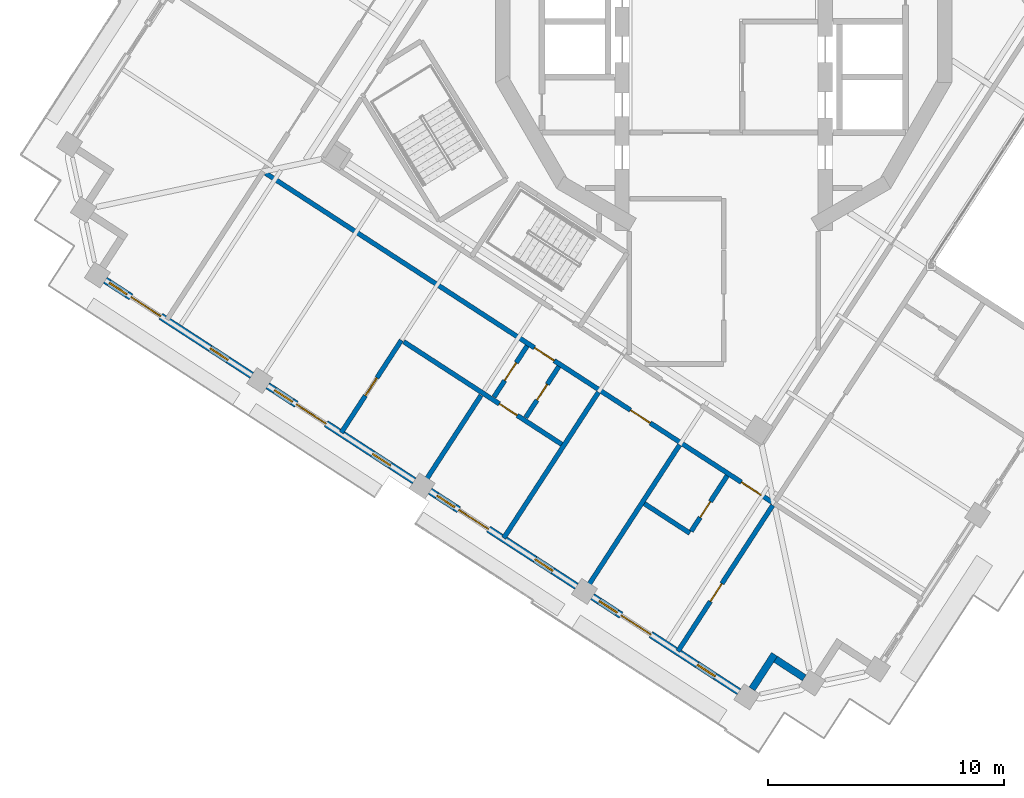
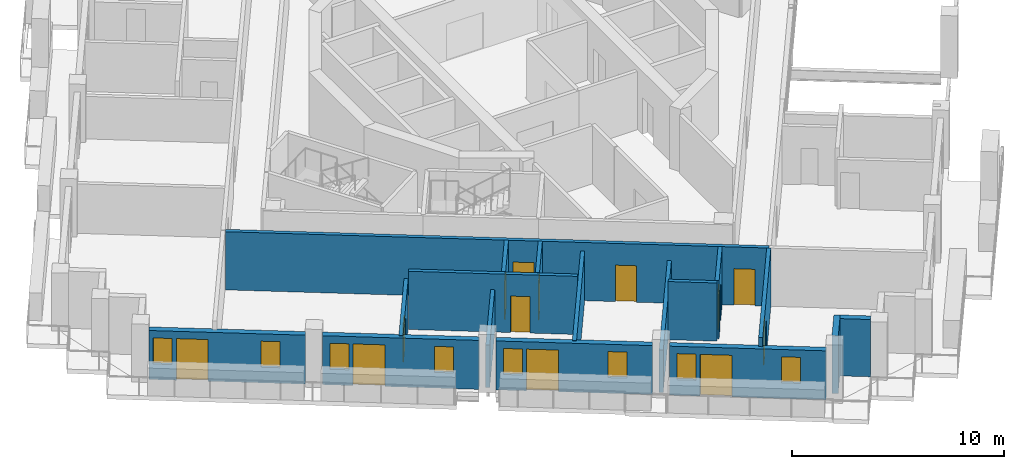
# One storey, part 5 of 17: 17 walls, 13 doors, 8 windows, 21 openings.
"""IFC4 building model written with IfcOpenShell, lengths in metres."""

import ifcopenshell
import ifcopenshell.guid

model = None  # the IFC model being written
_history = None  # IfcOwnerHistory: only IFC2X3 demands one
_inside = {}  # id of a spatial element -> (the spatial element, [elements in it])
_under = {}  # id of a project, library or spatial element -> (it, [spatial elements below it])
_declared = {}  # id of a project -> (the project, [libraries it declares])
_typed = {}  # id of a type object -> (the type object, [elements of that type])
_made_of = {}  # id of a material, layer set ... -> (it, [elements and type objects made of it])


def new_model(schema):
    """Start an empty IFC model of exactly this schema.

    Asked for "IFC4X3", IfcOpenShell would pick the latest addendum, in which some entities
    have other attributes; the version numbers below select the first issue.
    IFC2X3 requires an IfcOwnerHistory on every rooted entity: one is made here for all.
    """
    global model, _history
    if schema == "IFC4X3":
        model = ifcopenshell.file(schema_version=(4, 3, 0, 0))
    else:
        model = ifcopenshell.file(schema=schema)
    _inside.clear()
    _under.clear()
    _declared.clear()
    _typed.clear()
    _made_of.clear()
    _history = None
    if model.schema == "IFC2X3":
        org = make("IfcOrganization", Name="unknown")
        user = make(
            "IfcPersonAndOrganization",
            ThePerson=make("IfcPerson", FamilyName="unknown"),
            TheOrganization=org,
        )
        app = make(
            "IfcApplication",
            ApplicationDeveloper=org,
            Version="unknown",
            ApplicationFullName="unknown",
            ApplicationIdentifier="unknown",
        )
        _history = make(
            "IfcOwnerHistory",
            OwningUser=user,
            OwningApplication=app,
            ChangeAction="ADDED",
            CreationDate=0,
        )
    return model


def make(cls, **values):
    """One entity of the class cls with the attributes given. An attribute that is None is left unset."""
    return model.create_entity(
        cls, **{name: value for name, value in values.items() if value is not None}
    )


def rooted(cls, **values):
    """An entity with a GlobalId (a new one), such as an element, a storey or a relation."""
    return make(cls, GlobalId=ifcopenshell.guid.new(), OwnerHistory=_history, **values)


def si_unit(unit_type, name, prefix=None):
    """IfcSIUnit, for example si_unit("LENGTHUNIT", "METRE", prefix="MILLI")."""
    return make("IfcSIUnit", UnitType=unit_type, Prefix=prefix, Name=name)


def assignment(units):
    """IfcUnitAssignment: the units of a project."""
    return None if units is None else make("IfcUnitAssignment", Units=units)


def point(xyz):
    """IfcCartesianPoint."""
    return None if xyz is None else make("IfcCartesianPoint", Coordinates=xyz)


def direction(xyz):
    """IfcDirection."""
    return None if xyz is None else make("IfcDirection", DirectionRatios=xyz)


def frame(location, z_axis=None, x_axis=None):
    """IfcAxis2Placement3D, a coordinate frame: its origin and axes. An axis left out is left unset."""
    return make(
        "IfcAxis2Placement3D",
        Location=point(location),
        Axis=direction(z_axis),
        RefDirection=direction(x_axis),
    )


def frame_2d(location, x_axis=None):
    """IfcAxis2Placement2D, a coordinate frame in the plane: its origin and x axis."""
    return make(
        "IfcAxis2Placement2D", Location=point(location), RefDirection=direction(x_axis)
    )


def origin():
    """The frame at (0, 0, 0) with its axes left unset."""
    return frame((0.0, 0.0, 0.0))


def place(relative_to, where):
    """IfcLocalPlacement: puts the frame where relative to a parent placement (None: the world)."""
    return make(
        "IfcLocalPlacement", PlacementRelTo=relative_to, RelativePlacement=where
    )


def context(
    kind, dimensions, precision=None, world=None, true_north=None, identifier=None
):
    """IfcGeometricRepresentationContext, for example the 3D "Model" context."""
    return make(
        "IfcGeometricRepresentationContext",
        ContextIdentifier=identifier,
        ContextType=kind,
        CoordinateSpaceDimension=dimensions,
        Precision=precision,
        WorldCoordinateSystem=world,
        TrueNorth=true_north,
    )


def subcontext(parent, identifier, kind, view, scale=None):
    """IfcGeometricRepresentationSubContext, for example "Body" below "Model"."""
    return make(
        "IfcGeometricRepresentationSubContext",
        ContextIdentifier=identifier,
        ContextType=kind,
        ParentContext=parent,
        TargetScale=scale,
        TargetView=view,
    )


def project(units=None, contexts=None):
    """IfcProject with its units and contexts."""
    return rooted(
        "IfcProject",
        Name="project",
        RepresentationContexts=contexts,
        UnitsInContext=assignment(units),
    )


def spatial(cls, under=None, at=None, **own):
    """A site, building, storey or space (cls), placed at a placement, below another one or the project."""
    s = rooted(cls, ObjectPlacement=at, **own)
    if under is not None:
        _under.setdefault(under.id(), (under, []))[1].append(s)
    return s


def profile(cls, at=None, kind="AREA", **sizes):
    """A parametric profile (cls). Its sizes go by their IFC names, for example OverallWidth=200.0."""
    return make(cls, ProfileType=kind, Position=at, **sizes)


def rectangle(**sizes):
    """IfcRectangleProfileDef."""
    return profile("IfcRectangleProfileDef", **sizes)


def extrude(swept, where, along, depth):
    """IfcExtrudedAreaSolid: the profile swept, set in the frame where, extruded along a direction by depth."""
    return make(
        "IfcExtrudedAreaSolid",
        SweptArea=swept,
        Position=where,
        ExtrudedDirection=direction(along),
        Depth=depth,
    )


def shape(context_of_items, identifier, shape_type, items):
    """IfcShapeRepresentation: the items that make up one representation, for example the "Body"."""
    return make(
        "IfcShapeRepresentation",
        ContextOfItems=context_of_items,
        RepresentationIdentifier=identifier,
        RepresentationType=shape_type,
        Items=items,
    )


def material(Name=None, Category=None):
    """IfcMaterial."""
    return make("IfcMaterial", Name=Name, Category=Category)


def layer(
    of_material, thickness, ventilated=None, Name=None, Category=None, Priority=None
):
    """IfcMaterialLayer: one layer of a wall or slab, of a material (None: an air gap)."""
    return make(
        "IfcMaterialLayer",
        Material=of_material,
        LayerThickness=thickness,
        IsVentilated=ventilated,
        Name=Name,
        Category=Category,
        Priority=Priority,
    )


def layer_set(layers, Name=None):
    """IfcMaterialLayerSet."""
    return make("IfcMaterialLayerSet", MaterialLayers=layers, LayerSetName=Name)


def made_of(thing, what):
    """Note that an element or type object is made of a material, layer set ...; save() writes the relation."""
    if what is not None:
        _made_of.setdefault(what.id(), (what, []))[1].append(thing)
    return thing


def type_object(cls, material=None, **own):
    """A type object (cls), such as IfcWallType, which elements share."""
    return made_of(rooted(cls, **own), material)


def element(
    cls,
    number,
    at=None,
    inside=None,
    cuts=None,
    type_object=None,
    material=None,
    context=None,
    identifier="Body",
    shape_type=None,
    held_by="IfcProductDefinitionShape",
    body=None,
    shapes=None,
    **own,
):
    """One element of the class cls, such as IfcWall. Its Tag is "e" and its number.

    at: its placement. inside: the storey or other place that contains it. cuts: it is an
    opening in that element (IfcRelVoidsElement). A single representation is given by context,
    identifier, shape_type and body (its items); several are given by shapes. held_by: the class
    of the entity that holds the representations. save() writes the other relations.
    """
    e = rooted(cls, Tag="e%d" % number, ObjectPlacement=at, **own)
    if body is not None:
        shapes = [shape(context, identifier, shape_type, body)]
    if shapes is not None:
        e.Representation = make(held_by, Representations=shapes)
    if inside is not None:
        _inside.setdefault(inside.id(), (inside, []))[1].append(e)
    if cuts is not None:
        rooted(
            "IfcRelVoidsElement", RelatingBuildingElement=cuts, RelatedOpeningElement=e
        )
    if type_object is not None:
        _typed.setdefault(type_object.id(), (type_object, []))[1].append(e)
    return made_of(e, material)


def fill(opening, filler):
    """IfcRelFillsElement: the door or window that sits in an opening."""
    return rooted(
        "IfcRelFillsElement",
        RelatingOpeningElement=opening,
        RelatedBuildingElement=filler,
    )


def aggregate(whole, parts):
    """IfcRelAggregates: a whole, such as a stair, and the parts it consists of."""
    return rooted("IfcRelAggregates", RelatingObject=whole, RelatedObjects=parts)


def save(model, path):
    """Write the relations noted so far, then the file.

    IfcRelAggregates (storeys below a building ...), IfcRelContainedInSpatialStructure (elements
    in a storey), IfcRelDefinesByType, IfcRelAssociatesMaterial and IfcRelDeclares: one each for
    every whole, place, type object, material and project.
    """
    for whole, parts in _under.values():
        aggregate(whole, parts)
    for where, things in _inside.values():
        rooted(
            "IfcRelContainedInSpatialStructure",
            RelatedElements=things,
            RelatingStructure=where,
        )
    for kind, things in _typed.values():
        rooted("IfcRelDefinesByType", RelatedObjects=things, RelatingType=kind)
    for what, things in _made_of.values():
        rooted("IfcRelAssociatesMaterial", RelatedObjects=things, RelatingMaterial=what)
    for by, libraries in _declared.values():
        rooted("IfcRelDeclares", RelatingContext=by, RelatedDefinitions=libraries)
    model.write(path)


model = new_model("IFC4")

# Units and contexts
model_context = context("Model", 3, precision=1e-05, world=origin(), true_north=direction((0.0, 1.0)))
body_context = subcontext(model_context, "Body", "Model", "MODEL_VIEW")
ifc_project = project(units=[si_unit("LENGTHUNIT", "METRE"), si_unit("AREAUNIT", "SQUARE_METRE"), si_unit("VOLUMEUNIT", "CUBIC_METRE"), si_unit("PLANEANGLEUNIT", "RADIAN"), si_unit("MASSUNIT", "GRAM", prefix="KILO")], contexts=[model_context])

# Site, building, storey
site_placement = place(None, origin())
site = spatial("IfcSite", under=ifc_project, at=site_placement, CompositionType="ELEMENT")
building_placement = place(site_placement, origin())
building = spatial("IfcBuilding", under=site, at=building_placement, Name="Cantera Rosa Tower", CompositionType="ELEMENT")
storey_placement = place(building_placement, frame((0.0, 0.0, 264.89990234375)))
storey = spatial("IfcBuildingStorey", under=building, at=storey_placement, Name="L59", CompositionType="ELEMENT", Elevation=264.89990234375)

# Wall, openings, doors
ifc_material_1 = material(Name="Gypsum board partition")
ifc_layer_1 = layer(ifc_material_1, 0.199951171875)
ifc_layer_set_1 = layer_set([ifc_layer_1], Name="CORRIDOR WALL 200 H3350")
wall_type_1 = type_object("IfcWallType", Name="CORRIDOR WALL 200 H3350", PredefinedType="PARTITIONING", material=ifc_layer_set_1)
wall_1_placement = place(storey_placement, frame((-19.4052734375, -6.416259765625, 0.0), z_axis=(0.0, 0.0, 1.0), x_axis=(0.83867117695, -0.544638097229, 0.0)))
wall_1 = element("IfcWall", 1, at=wall_1_placement, inside=storey, type_object=wall_type_1, Name="CORRIDOR WALL L59-002", PredefinedType="PARTITIONING", context=body_context, shape_type="SweptSolid", body=[
    extrude(rectangle(XDim=25.679931640625, YDim=0.199951171875, at=frame_2d((12.83984375, 0.0))), origin(), (0.0, 0.0, 1.0), 3.35009765625),
])
opening_1_placement = place(wall_1_placement, frame((13.580078125, 0.0, 0.0)))
opening_1 = element("IfcOpeningElement", 2, at=opening_1_placement, cuts=wall_1, Name="Opening L59-036", PredefinedType="OPENING", context=body_context, shape_type="SweptSolid", body=[
    extrude(rectangle(XDim=1.0, YDim=2.10009765625, at=frame_2d((0.5, 1.050048828125))), frame((0.0, 0.10986328125, 0.0), z_axis=(0.0, -1.0, 0.0), x_axis=(1.0, 0.0, 0.0)), (0.0, 0.0, 1.0), 0.219970703125),
])
opening_2_placement = place(wall_1_placement, frame((18.429931640625, 0.0, 0.0)))
opening_2 = element("IfcOpeningElement", 3, at=opening_2_placement, cuts=wall_1, Name="Opening L59-041", PredefinedType="OPENING", context=body_context, shape_type="SweptSolid", body=[
    extrude(rectangle(XDim=1.0, YDim=2.10009765625, at=frame_2d((0.5, 1.050048828125))), frame((0.0, 0.10986328125, 0.0), z_axis=(0.0, -1.0, 0.0), x_axis=(1.0, 0.0, 0.0)), (0.0, 0.0, 1.0), 0.219970703125),
])
opening_3_placement = place(wall_1_placement, frame((24.030029296875, 0.0, 0.0)))
opening_3 = element("IfcOpeningElement", 4, at=opening_3_placement, cuts=wall_1, Name="Opening L59-042", PredefinedType="OPENING", context=body_context, shape_type="SweptSolid", body=[
    extrude(rectangle(XDim=1.0, YDim=2.10009765625, at=frame_2d((0.5, 1.050048828125))), frame((0.0, 0.10986328125, 0.0), z_axis=(0.0, -1.0, 0.0), x_axis=(1.0, 0.0, 0.0)), (0.0, 0.0, 1.0), 0.219970703125),
])
ifc_material_2 = material(Name="Timber door leaf", Category="wood")
door_type_1 = type_object("IfcDoorType", Name="ENTRANCE DOOR 1000x2100", OperationType="NOTDEFINED", PredefinedType="DOOR", material=ifc_material_2)
door_1_placement = place(opening_1_placement, origin())
door_1 = element("IfcDoor", 5, at=door_1_placement, inside=storey, type_object=door_type_1, Name="DOOR L59-036", OperationType="NOTDEFINED", OverallHeight=2.10009765625, OverallWidth=1.0, PredefinedType="DOOR", context=body_context, shape_type="SweptSolid", body=[
    extrude(rectangle(XDim=1.0, YDim=2.10009765625, at=frame_2d((0.5, 1.050048828125))), frame((0.0, 0.02490234375, 0.0), z_axis=(0.0, -1.0, 0.0), x_axis=(1.0, 0.0, 0.0)), (0.0, 0.0, 1.0), 0.050048828125),
])
fill(opening_1, door_1)
door_2_placement = place(opening_3_placement, origin())
door_2 = element("IfcDoor", 6, at=door_2_placement, inside=storey, type_object=door_type_1, Name="DOOR L59-042", OperationType="NOTDEFINED", OverallHeight=2.10009765625, OverallWidth=1.0, PredefinedType="DOOR", context=body_context, shape_type="SweptSolid", body=[
    extrude(rectangle(XDim=1.0, YDim=2.10009765625, at=frame_2d((0.5, 1.050048828125))), frame((0.0, 0.02490234375, 0.0), z_axis=(0.0, -1.0, 0.0), x_axis=(1.0, 0.0, 0.0)), (0.0, 0.0, 1.0), 0.050048828125),
])
fill(opening_3, door_2)
ifc_material_3 = material(Name="Timber door leaf", Category="wood")
door_type_2 = type_object("IfcDoorType", Name="ROOM DOOR 1000x2100", OperationType="NOTDEFINED", PredefinedType="DOOR", material=ifc_material_3)
door_3_placement = place(opening_2_placement, origin())
door_3 = element("IfcDoor", 7, at=door_3_placement, inside=storey, type_object=door_type_2, Name="DOOR L59-041", OperationType="NOTDEFINED", OverallHeight=2.10009765625, OverallWidth=1.0, PredefinedType="DOOR", context=body_context, shape_type="SweptSolid", body=[
    extrude(rectangle(XDim=1.0, YDim=2.10009765625, at=frame_2d((0.5, 1.050048828125))), frame((0.0, 0.02490234375, 0.0), z_axis=(0.0, -1.0, 0.0), x_axis=(1.0, 0.0, 0.0)), (0.0, 0.0, 1.0), 0.050048828125),
])
fill(opening_2, door_3)

# Walls
ifc_material_4 = material(Name="Hollow clay masonry with cantera stone cladding", Category="masonry")
ifc_layer_2 = layer(ifc_material_4, 0.300048828125)
ifc_layer_set_2 = layer_set([ifc_layer_2], Name="EW-LOGGIA 300")
wall_type_2 = type_object("IfcWallType", Name="EW-LOGGIA 300", PredefinedType="SOLIDWALL", material=ifc_layer_set_2)
wall_2_placement = place(storey_placement, frame((1.2001953125, -28.263427734375, 0.0), z_axis=(0.0, 0.0, 1.0), x_axis=(0.54461563776, 0.838685761837, 0.0)))
element("IfcWall", 8, at=wall_2_placement, inside=storey, type_object=wall_type_2, Name="EN-L59-W18a", PredefinedType="SOLIDWALL", context=body_context, shape_type="SweptSolid", body=[
    extrude(rectangle(XDim=1.75, YDim=0.300048828125, at=frame_2d((0.875, 0.0))), origin(), (0.0, 0.0, 1.0), 3.300048828125),
])
wall_3_placement = place(storey_placement, frame((2.197509765625, -27.003173828125, 0.0), z_axis=(0.0, 0.0, 1.0), x_axis=(0.838647435384, -0.54467465438, 0.0)))
element("IfcWall", 9, at=wall_3_placement, inside=storey, type_object=wall_type_2, Name="EN-L59-W18b", PredefinedType="SOLIDWALL", context=body_context, shape_type="SweptSolid", body=[
    extrude(rectangle(XDim=1.449951171875, YDim=0.300048828125, at=frame_2d((0.72509765625, 0.0))), origin(), (0.0, 0.0, 1.0), 3.300048828125),
])

# Wall, openings, windows, door
ifc_material_5 = material(Name="Hollow clay masonry with cantera stone cladding", Category="masonry")
ifc_layer_3 = layer(ifc_material_5, 0.300048828125)
ifc_layer_set_3 = layer_set([ifc_layer_3], Name="EW-LOGGIA 300 H2820")
wall_type_3 = type_object("IfcWallType", Name="EW-LOGGIA 300 H2820", PredefinedType="SOLIDWALL", material=ifc_layer_set_3)
wall_4_placement = place(storey_placement, frame((-26.1904296875, -10.95263671875, 0.0), z_axis=(0.0, 0.0, 1.0), x_axis=(0.838669679097, -0.544640403719, 0.0)))
wall_4 = element("IfcWall", 10, at=wall_4_placement, inside=storey, type_object=wall_type_3, Name="EN-L59-W14", PredefinedType="SOLIDWALL", context=body_context, shape_type="SweptSolid", body=[
    extrude(rectangle(XDim=7.39990234375, YDim=0.300048828125, at=frame_2d((3.699951171875, 0.0))), origin(), (0.0, 0.0, 1.0), 2.820068359375),
])
opening_4_placement = place(wall_4_placement, frame((0.199951171875, 0.0, 0.89990234375)))
opening_4 = element("IfcOpeningElement", 11, at=opening_4_placement, cuts=wall_4, Name="Opening L59-W28", PredefinedType="OPENING", context=body_context, shape_type="SweptSolid", body=[
    extrude(rectangle(XDim=0.89990234375, YDim=1.5, at=frame_2d((0.449951171875, 0.75))), frame((0.0, 0.159912109375, 0.0), z_axis=(0.0, -1.0, 0.0), x_axis=(1.0, 0.0, 0.0)), (0.0, 0.0, 1.0), 0.320068359375),
])
opening_5_placement = place(wall_4_placement, frame((1.300048828125, 0.0, 0.0)))
opening_5 = element("IfcOpeningElement", 12, at=opening_5_placement, cuts=wall_4, Name="Opening L59-TD29", PredefinedType="OPENING", context=body_context, shape_type="SweptSolid", body=[
    extrude(rectangle(XDim=1.5, YDim=2.39990234375, at=frame_2d((0.75, 1.199951171875))), frame((0.0, 0.159912109375, 0.0), z_axis=(0.0, -1.0, 0.0), x_axis=(1.0, 0.0, 0.0)), (0.0, 0.0, 1.0), 0.320068359375),
])
opening_6_placement = place(wall_4_placement, frame((5.300048828125, 0.0, 0.89990234375)))
opening_6 = element("IfcOpeningElement", 13, at=opening_6_placement, cuts=wall_4, Name="Opening L59-W30", PredefinedType="OPENING", context=body_context, shape_type="SweptSolid", body=[
    extrude(rectangle(XDim=0.89990234375, YDim=1.5, at=frame_2d((0.449951171875, 0.75))), frame((0.0, 0.159912109375, 0.0), z_axis=(0.0, -1.0, 0.0), x_axis=(1.0, 0.0, 0.0)), (0.0, 0.0, 1.0), 0.320068359375),
])
ifc_material_6 = material(Name="Aluminium frame with clear glass", Category="aluminium")
window_type = type_object("IfcWindowType", Name="Residential window 900x1500", PartitioningType="SINGLE_PANEL", PredefinedType="WINDOW", material=ifc_material_6)
window_1_placement = place(opening_4_placement, origin())
window_1 = element("IfcWindow", 14, at=window_1_placement, inside=storey, type_object=window_type, Name="WINDOW L59-W28", OverallHeight=1.5, OverallWidth=0.89990234375, PartitioningType="SINGLE_PANEL", PredefinedType="WINDOW", context=body_context, shape_type="SweptSolid", body=[
    extrude(rectangle(XDim=0.89990234375, YDim=1.5, at=frame_2d((0.449951171875, 0.75))), frame((0.0, 0.030029296875, 0.0), z_axis=(0.0, -1.0, 0.0), x_axis=(1.0, 0.0, 0.0)), (0.0, 0.0, 1.0), 0.06005859375),
])
fill(opening_4, window_1)
window_2_placement = place(opening_6_placement, origin())
window_2 = element("IfcWindow", 15, at=window_2_placement, inside=storey, type_object=window_type, Name="WINDOW L59-W30", OverallHeight=1.5, OverallWidth=0.89990234375, PartitioningType="SINGLE_PANEL", PredefinedType="WINDOW", context=body_context, shape_type="SweptSolid", body=[
    extrude(rectangle(XDim=0.89990234375, YDim=1.5, at=frame_2d((0.449951171875, 0.75))), frame((0.0, 0.030029296875, 0.0), z_axis=(0.0, -1.0, 0.0), x_axis=(1.0, 0.0, 0.0)), (0.0, 0.0, 1.0), 0.06005859375),
])
fill(opening_6, window_2)
ifc_material_7 = material(Name="Aluminium frame with clear glass", Category="aluminium")
door_type_3 = type_object("IfcDoorType", Name="TD-R 1500x2400", OperationType="NOTDEFINED", PredefinedType="DOOR", material=ifc_material_7)
door_4_placement = place(opening_5_placement, origin())
door_4 = element("IfcDoor", 16, at=door_4_placement, inside=storey, type_object=door_type_3, Name="LOGGIA DOOR L59-TD29", OperationType="SLIDING_TO_LEFT", OverallHeight=2.39990234375, OverallWidth=1.5, PredefinedType="DOOR", context=body_context, shape_type="SweptSolid", body=[
    extrude(rectangle(XDim=1.5, YDim=2.39990234375, at=frame_2d((0.75, 1.199951171875))), frame((0.0, 0.02490234375, 0.0), z_axis=(0.0, -1.0, 0.0), x_axis=(1.0, 0.0, 0.0)), (0.0, 0.0, 1.0), 0.050048828125),
])
fill(opening_5, door_4)

wall_5_placement = place(storey_placement, frame((-19.3134765625, -15.418701171875, 0.0), z_axis=(0.0, 0.0, 1.0), x_axis=(0.838679465365, -0.544625333946, 0.0)))
wall_5 = element("IfcWall", 17, at=wall_5_placement, inside=storey, type_object=wall_type_3, Name="EN-L59-W15", PredefinedType="SOLIDWALL", context=body_context, shape_type="SweptSolid", body=[
    extrude(rectangle(XDim=7.400146484375, YDim=0.300048828125, at=frame_2d((3.7001953125, 0.0))), origin(), (0.0, 0.0, 1.0), 2.820068359375),
])
opening_7_placement = place(wall_5_placement, frame((0.35009765625, 0.0, 0.89990234375)))
opening_7 = element("IfcOpeningElement", 18, at=opening_7_placement, cuts=wall_5, Name="Opening L59-W31", PredefinedType="OPENING", context=body_context, shape_type="SweptSolid", body=[
    extrude(rectangle(XDim=0.89990234375, YDim=1.5, at=frame_2d((0.449951171875, 0.75))), frame((0.0, 0.159912109375, 0.0), z_axis=(0.0, -1.0, 0.0), x_axis=(1.0, 0.0, 0.0)), (0.0, 0.0, 1.0), 0.320068359375),
])
opening_8_placement = place(wall_5_placement, frame((1.449951171875, 0.0, 0.0)))
opening_8 = element("IfcOpeningElement", 19, at=opening_8_placement, cuts=wall_5, Name="Opening L59-TD32", PredefinedType="OPENING", context=body_context, shape_type="SweptSolid", body=[
    extrude(rectangle(XDim=1.5, YDim=2.39990234375, at=frame_2d((0.75, 1.199951171875))), frame((0.0, 0.159912109375, 0.0), z_axis=(0.0, -1.0, 0.0), x_axis=(1.0, 0.0, 0.0)), (0.0, 0.0, 1.0), 0.320068359375),
])
opening_9_placement = place(wall_5_placement, frame((5.300048828125, 0.0, 0.89990234375)))
opening_9 = element("IfcOpeningElement", 20, at=opening_9_placement, cuts=wall_5, Name="Opening L59-W33", PredefinedType="OPENING", context=body_context, shape_type="SweptSolid", body=[
    extrude(rectangle(XDim=0.89990234375, YDim=1.5, at=frame_2d((0.449951171875, 0.75))), frame((0.0, 0.159912109375, 0.0), z_axis=(0.0, -1.0, 0.0), x_axis=(1.0, 0.0, 0.0)), (0.0, 0.0, 1.0), 0.320068359375),
])
window_3_placement = place(opening_7_placement, origin())
window_3 = element("IfcWindow", 21, at=window_3_placement, inside=storey, type_object=window_type, Name="WINDOW L59-W31", OverallHeight=1.5, OverallWidth=0.89990234375, PartitioningType="SINGLE_PANEL", PredefinedType="WINDOW", context=body_context, shape_type="SweptSolid", body=[
    extrude(rectangle(XDim=0.89990234375, YDim=1.5, at=frame_2d((0.449951171875, 0.75))), frame((0.0, 0.030029296875, 0.0), z_axis=(0.0, -1.0, 0.0), x_axis=(1.0, 0.0, 0.0)), (0.0, 0.0, 1.0), 0.06005859375),
])
fill(opening_7, window_3)
window_4_placement = place(opening_9_placement, origin())
window_4 = element("IfcWindow", 22, at=window_4_placement, inside=storey, type_object=window_type, Name="WINDOW L59-W33", OverallHeight=1.5, OverallWidth=0.89990234375, PartitioningType="SINGLE_PANEL", PredefinedType="WINDOW", context=body_context, shape_type="SweptSolid", body=[
    extrude(rectangle(XDim=0.89990234375, YDim=1.5, at=frame_2d((0.449951171875, 0.75))), frame((0.0, 0.030029296875, 0.0), z_axis=(0.0, -1.0, 0.0), x_axis=(1.0, 0.0, 0.0)), (0.0, 0.0, 1.0), 0.06005859375),
])
fill(opening_9, window_4)
door_5_placement = place(opening_8_placement, origin())
door_5 = element("IfcDoor", 23, at=door_5_placement, inside=storey, type_object=door_type_3, Name="LOGGIA DOOR L59-TD32", OperationType="SLIDING_TO_LEFT", OverallHeight=2.39990234375, OverallWidth=1.5, PredefinedType="DOOR", context=body_context, shape_type="SweptSolid", body=[
    extrude(rectangle(XDim=1.5, YDim=2.39990234375, at=frame_2d((0.75, 1.199951171875))), frame((0.0, 0.02490234375, 0.0), z_axis=(0.0, -1.0, 0.0), x_axis=(1.0, 0.0, 0.0)), (0.0, 0.0, 1.0), 0.050048828125),
])
fill(opening_8, door_5)

wall_6_placement = place(storey_placement, frame((-12.436279296875, -19.884765625, 0.0), z_axis=(0.0, 0.0, 1.0), x_axis=(0.838669679097, -0.544640403719, 0.0)))
wall_6 = element("IfcWall", 24, at=wall_6_placement, inside=storey, type_object=wall_type_3, Name="EN-L59-W16", PredefinedType="SOLIDWALL", context=body_context, shape_type="SweptSolid", body=[
    extrude(rectangle(XDim=7.39990234375, YDim=0.300048828125, at=frame_2d((3.699951171875, 0.0))), origin(), (0.0, 0.0, 1.0), 2.820068359375),
])
opening_10_placement = place(wall_6_placement, frame((0.35009765625, 0.0, 0.89990234375)))
opening_10 = element("IfcOpeningElement", 25, at=opening_10_placement, cuts=wall_6, Name="Opening L59-W34", PredefinedType="OPENING", context=body_context, shape_type="SweptSolid", body=[
    extrude(rectangle(XDim=0.89990234375, YDim=1.5, at=frame_2d((0.449951171875, 0.75))), frame((0.0, 0.159912109375, 0.0), z_axis=(0.0, -1.0, 0.0), x_axis=(1.0, 0.0, 0.0)), (0.0, 0.0, 1.0), 0.320068359375),
])
opening_11_placement = place(wall_6_placement, frame((1.449951171875, 0.0, 0.0)))
opening_11 = element("IfcOpeningElement", 26, at=opening_11_placement, cuts=wall_6, Name="Opening L59-TD35", PredefinedType="OPENING", context=body_context, shape_type="SweptSolid", body=[
    extrude(rectangle(XDim=1.5, YDim=2.39990234375, at=frame_2d((0.75, 1.199951171875))), frame((0.0, 0.159912109375, 0.0), z_axis=(0.0, -1.0, 0.0), x_axis=(1.0, 0.0, 0.0)), (0.0, 0.0, 1.0), 0.320068359375),
])
opening_12_placement = place(wall_6_placement, frame((5.300048828125, 0.0, 0.89990234375)))
opening_12 = element("IfcOpeningElement", 27, at=opening_12_placement, cuts=wall_6, Name="Opening L59-W36", PredefinedType="OPENING", context=body_context, shape_type="SweptSolid", body=[
    extrude(rectangle(XDim=0.89990234375, YDim=1.5, at=frame_2d((0.449951171875, 0.75))), frame((0.0, 0.159912109375, 0.0), z_axis=(0.0, -1.0, 0.0), x_axis=(1.0, 0.0, 0.0)), (0.0, 0.0, 1.0), 0.320068359375),
])
window_5_placement = place(opening_10_placement, origin())
window_5 = element("IfcWindow", 28, at=window_5_placement, inside=storey, type_object=window_type, Name="WINDOW L59-W34", OverallHeight=1.5, OverallWidth=0.89990234375, PartitioningType="SINGLE_PANEL", PredefinedType="WINDOW", context=body_context, shape_type="SweptSolid", body=[
    extrude(rectangle(XDim=0.89990234375, YDim=1.5, at=frame_2d((0.449951171875, 0.75))), frame((0.0, 0.030029296875, 0.0), z_axis=(0.0, -1.0, 0.0), x_axis=(1.0, 0.0, 0.0)), (0.0, 0.0, 1.0), 0.06005859375),
])
fill(opening_10, window_5)
window_6_placement = place(opening_12_placement, origin())
window_6 = element("IfcWindow", 29, at=window_6_placement, inside=storey, type_object=window_type, Name="WINDOW L59-W36", OverallHeight=1.5, OverallWidth=0.89990234375, PartitioningType="SINGLE_PANEL", PredefinedType="WINDOW", context=body_context, shape_type="SweptSolid", body=[
    extrude(rectangle(XDim=0.89990234375, YDim=1.5, at=frame_2d((0.449951171875, 0.75))), frame((0.0, 0.030029296875, 0.0), z_axis=(0.0, -1.0, 0.0), x_axis=(1.0, 0.0, 0.0)), (0.0, 0.0, 1.0), 0.06005859375),
])
fill(opening_12, window_6)
door_6_placement = place(opening_11_placement, origin())
door_6 = element("IfcDoor", 30, at=door_6_placement, inside=storey, type_object=door_type_3, Name="LOGGIA DOOR L59-TD35", OperationType="SLIDING_TO_LEFT", OverallHeight=2.39990234375, OverallWidth=1.5, PredefinedType="DOOR", context=body_context, shape_type="SweptSolid", body=[
    extrude(rectangle(XDim=1.5, YDim=2.39990234375, at=frame_2d((0.75, 1.199951171875))), frame((0.0, 0.02490234375, 0.0), z_axis=(0.0, -1.0, 0.0), x_axis=(1.0, 0.0, 0.0)), (0.0, 0.0, 1.0), 0.050048828125),
])
fill(opening_11, door_6)

wall_7_placement = place(storey_placement, frame((-5.559326171875, -24.350830078125, 0.0), z_axis=(0.0, 0.0, 1.0), x_axis=(0.838679465365, -0.544625333946, 0.0)))
wall_7 = element("IfcWall", 31, at=wall_7_placement, inside=storey, type_object=wall_type_3, Name="EN-L59-W17", PredefinedType="SOLIDWALL", context=body_context, shape_type="SweptSolid", body=[
    extrude(rectangle(XDim=7.400146484375, YDim=0.300048828125, at=frame_2d((3.7001953125, 0.0))), origin(), (0.0, 0.0, 1.0), 2.820068359375),
])
opening_13_placement = place(wall_7_placement, frame((0.35009765625, 0.0, 0.89990234375)))
opening_13 = element("IfcOpeningElement", 32, at=opening_13_placement, cuts=wall_7, Name="Opening L59-W37", PredefinedType="OPENING", context=body_context, shape_type="SweptSolid", body=[
    extrude(rectangle(XDim=0.89990234375, YDim=1.5, at=frame_2d((0.449951171875, 0.75))), frame((0.0, 0.159912109375, 0.0), z_axis=(0.0, -1.0, 0.0), x_axis=(1.0, 0.0, 0.0)), (0.0, 0.0, 1.0), 0.320068359375),
])
opening_14_placement = place(wall_7_placement, frame((1.449951171875, 0.0, 0.0)))
opening_14 = element("IfcOpeningElement", 33, at=opening_14_placement, cuts=wall_7, Name="Opening L59-TD38", PredefinedType="OPENING", context=body_context, shape_type="SweptSolid", body=[
    extrude(rectangle(XDim=1.5, YDim=2.39990234375, at=frame_2d((0.75, 1.199951171875))), frame((0.0, 0.159912109375, 0.0), z_axis=(0.0, -1.0, 0.0), x_axis=(1.0, 0.0, 0.0)), (0.0, 0.0, 1.0), 0.320068359375),
])
opening_15_placement = place(wall_7_placement, frame((5.300048828125, 0.0, 0.89990234375)))
opening_15 = element("IfcOpeningElement", 34, at=opening_15_placement, cuts=wall_7, Name="Opening L59-W39", PredefinedType="OPENING", context=body_context, shape_type="SweptSolid", body=[
    extrude(rectangle(XDim=0.89990234375, YDim=1.5, at=frame_2d((0.449951171875, 0.75))), frame((0.0, 0.159912109375, 0.0), z_axis=(0.0, -1.0, 0.0), x_axis=(1.0, 0.0, 0.0)), (0.0, 0.0, 1.0), 0.320068359375),
])
window_7_placement = place(opening_13_placement, origin())
window_7 = element("IfcWindow", 35, at=window_7_placement, inside=storey, type_object=window_type, Name="WINDOW L59-W37", OverallHeight=1.5, OverallWidth=0.89990234375, PartitioningType="SINGLE_PANEL", PredefinedType="WINDOW", context=body_context, shape_type="SweptSolid", body=[
    extrude(rectangle(XDim=0.89990234375, YDim=1.5, at=frame_2d((0.449951171875, 0.75))), frame((0.0, 0.030029296875, 0.0), z_axis=(0.0, -1.0, 0.0), x_axis=(1.0, 0.0, 0.0)), (0.0, 0.0, 1.0), 0.06005859375),
])
fill(opening_13, window_7)
window_8_placement = place(opening_15_placement, origin())
window_8 = element("IfcWindow", 36, at=window_8_placement, inside=storey, type_object=window_type, Name="WINDOW L59-W39", OverallHeight=1.5, OverallWidth=0.89990234375, PartitioningType="SINGLE_PANEL", PredefinedType="WINDOW", context=body_context, shape_type="SweptSolid", body=[
    extrude(rectangle(XDim=0.89990234375, YDim=1.5, at=frame_2d((0.449951171875, 0.75))), frame((0.0, 0.030029296875, 0.0), z_axis=(0.0, -1.0, 0.0), x_axis=(1.0, 0.0, 0.0)), (0.0, 0.0, 1.0), 0.06005859375),
])
fill(opening_15, window_8)
door_7_placement = place(opening_14_placement, origin())
door_7 = element("IfcDoor", 37, at=door_7_placement, inside=storey, type_object=door_type_3, Name="LOGGIA DOOR L59-TD38", OperationType="SLIDING_TO_LEFT", OverallHeight=2.39990234375, OverallWidth=1.5, PredefinedType="DOOR", context=body_context, shape_type="SweptSolid", body=[
    extrude(rectangle(XDim=1.5, YDim=2.39990234375, at=frame_2d((0.75, 1.199951171875))), frame((0.0, 0.02490234375, 0.0), z_axis=(0.0, -1.0, 0.0), x_axis=(1.0, 0.0, 0.0)), (0.0, 0.0, 1.0), 0.050048828125),
])
fill(opening_14, door_7)

# Wall
ifc_material_8 = material(Name="Gypsum board partition")
ifc_layer_4 = layer(ifc_material_8, 0.199951171875)
ifc_layer_set_4 = layer_set([ifc_layer_4], Name="PARTITION 200 H2450")
wall_type_4 = type_object("IfcWallType", Name="PARTITION 200 H2450", PredefinedType="PARTITIONING", material=ifc_layer_set_4)
wall_8_placement = place(storey_placement, frame((-12.75537109375, -19.6416015625, 0.0), z_axis=(0.0, 0.0, 1.0), x_axis=(0.544629951314, 0.8386764669, 0.0)))
element("IfcWall", 38, at=wall_8_placement, inside=storey, type_object=wall_type_4, Name="PARTITION L59-020", PredefinedType="PARTITIONING", context=body_context, shape_type="SweptSolid", body=[
    extrude(rectangle(XDim=4.550048828125, YDim=0.199951171875, at=frame_2d((2.27490234375, 0.0))), origin(), (0.0, 0.0, 1.0), 2.4501953125),
])

# Wall, opening, door
ifc_material_9 = material(Name="Gypsum board partition")
ifc_layer_5 = layer(ifc_material_9, 0.199951171875)
ifc_layer_set_5 = layer_set([ifc_layer_5], Name="PARTITION 200 H2850")
wall_type_5 = type_object("IfcWallType", Name="PARTITION 200 H2850", PredefinedType="PARTITIONING", material=ifc_layer_set_5)
wall_9_placement = place(storey_placement, frame((-16.194091796875, -17.40869140625, 0.0), z_axis=(0.0, 0.0, 1.0), x_axis=(0.544683283636, 0.838641830895, 0.0)))
wall_9 = element("IfcWall", 39, at=wall_9_placement, inside=storey, type_object=wall_type_5, Name="PARTITION L59-007", PredefinedType="PARTITIONING", context=body_context, shape_type="SweptSolid", body=[
    extrude(rectangle(XDim=4.670166015625, YDim=0.199951171875, at=frame_2d((2.3349609375, 0.0))), origin(), (0.0, 0.0, 1.0), 2.85009765625),
])
opening_16_placement = place(wall_9_placement, frame((1.8701171875, 0.0, 0.0)))
opening_16 = element("IfcOpeningElement", 40, at=opening_16_placement, cuts=wall_9, Name="Opening L59-040", PredefinedType="OPENING", context=body_context, shape_type="SweptSolid", body=[
    extrude(rectangle(XDim=0.89990234375, YDim=2.10009765625, at=frame_2d((0.449951171875, 1.050048828125))), frame((0.0, 0.10986328125, 0.0), z_axis=(0.0, -1.0, 0.0), x_axis=(1.0, 0.0, 0.0)), (0.0, 0.0, 1.0), 0.219970703125),
])
ifc_material_10 = material(Name="Timber door leaf", Category="wood")
door_type_4 = type_object("IfcDoorType", Name="ROOM DOOR 900x2100", OperationType="NOTDEFINED", PredefinedType="DOOR", material=ifc_material_10)
door_8_placement = place(opening_16_placement, origin())
door_8 = element("IfcDoor", 41, at=door_8_placement, inside=storey, type_object=door_type_4, Name="DOOR L59-040", OperationType="NOTDEFINED", OverallHeight=2.10009765625, OverallWidth=0.89990234375, PredefinedType="DOOR", context=body_context, shape_type="SweptSolid", body=[
    extrude(rectangle(XDim=0.89990234375, YDim=2.10009765625, at=frame_2d((0.449951171875, 1.050048828125))), frame((0.0, 0.02490234375, 0.0), z_axis=(0.0, -1.0, 0.0), x_axis=(1.0, 0.0, 0.0)), (0.0, 0.0, 1.0), 0.050048828125),
])
fill(opening_16, door_8)

ifc_material_11 = material(Name="Gypsum board partition")
ifc_layer_6 = layer(ifc_material_11, 0.199951171875)
ifc_layer_set_6 = layer_set([ifc_layer_6], Name="PARTITION 200 H3350")
wall_type_6 = type_object("IfcWallType", Name="PARTITION 200 H3350", PredefinedType="PARTITIONING", material=ifc_layer_set_6)
wall_10_placement = place(storey_placement, frame((-13.5498046875, -13.557373046875, 0.0), z_axis=(0.0, 0.0, 1.0), x_axis=(0.838664432153, -0.54464848319, 0.0)))
wall_10 = element("IfcWall", 42, at=wall_10_placement, inside=storey, type_object=wall_type_6, Name="PARTITION L59-015", PredefinedType="PARTITIONING", context=body_context, shape_type="SweptSolid", body=[
    extrude(rectangle(XDim=7.979736328125, YDim=0.199951171875, at=frame_2d((3.98974609375, 0.0))), origin(), (0.0, 0.0, 1.0), 3.35009765625),
])
opening_17_placement = place(wall_10_placement, frame((4.830078125, 0.0, 0.0)))
opening_17 = element("IfcOpeningElement", 43, at=opening_17_placement, cuts=wall_10, Name="Opening L59-039", PredefinedType="OPENING", context=body_context, shape_type="SweptSolid", body=[
    extrude(rectangle(XDim=0.89990234375, YDim=2.10009765625, at=frame_2d((0.449951171875, 1.050048828125))), frame((0.0, 0.10986328125, 0.0), z_axis=(0.0, -1.0, 0.0), x_axis=(1.0, 0.0, 0.0)), (0.0, 0.0, 1.0), 0.219970703125),
])
door_9_placement = place(opening_17_placement, origin())
door_9 = element("IfcDoor", 44, at=door_9_placement, inside=storey, type_object=door_type_4, Name="DOOR L59-039", OperationType="NOTDEFINED", OverallHeight=2.10009765625, OverallWidth=0.89990234375, PredefinedType="DOOR", context=body_context, shape_type="SweptSolid", body=[
    extrude(rectangle(XDim=0.89990234375, YDim=2.10009765625, at=frame_2d((0.449951171875, 1.050048828125))), frame((0.0, 0.02490234375, 0.0), z_axis=(0.0, -1.0, 0.0), x_axis=(1.0, 0.0, 0.0)), (0.0, 0.0, 1.0), 0.050048828125),
])
fill(opening_17, door_9)

wall_11_placement = place(storey_placement, frame((-9.727294921875, -15.896728515625, 0.0), z_axis=(0.0, 0.0, 1.0), x_axis=(0.544659035015, 0.838657579454, 0.0)))
wall_11 = element("IfcWall", 45, at=wall_11_placement, inside=storey, type_object=wall_type_6, Name="PARTITION L59-024", PredefinedType="PARTITIONING", context=body_context, shape_type="SweptSolid", body=[
    extrude(rectangle(XDim=2.580078125, YDim=0.199951171875, at=frame_2d((1.2900390625, 0.0))), origin(), (0.0, 0.0, 1.0), 3.35009765625),
])
opening_18_placement = place(wall_11_placement, frame((0.830078125, 0.0, 0.0)))
opening_18 = element("IfcOpeningElement", 46, at=opening_18_placement, cuts=wall_11, Name="Opening L59-038", PredefinedType="OPENING", context=body_context, shape_type="SweptSolid", body=[
    extrude(rectangle(XDim=0.89990234375, YDim=2.10009765625, at=frame_2d((0.449951171875, 1.050048828125))), frame((0.0, 0.10986328125, 0.0), z_axis=(0.0, -1.0, 0.0), x_axis=(1.0, 0.0, 0.0)), (0.0, 0.0, 1.0), 0.219970703125),
])
door_10_placement = place(opening_18_placement, origin())
door_10 = element("IfcDoor", 47, at=door_10_placement, inside=storey, type_object=door_type_4, Name="DOOR L59-038", OperationType="NOTDEFINED", OverallHeight=2.10009765625, OverallWidth=0.89990234375, PredefinedType="DOOR", context=body_context, shape_type="SweptSolid", body=[
    extrude(rectangle(XDim=0.89990234375, YDim=2.10009765625, at=frame_2d((0.449951171875, 1.050048828125))), frame((0.0, 0.02490234375, 0.0), z_axis=(0.0, -1.0, 0.0), x_axis=(1.0, 0.0, 0.0)), (0.0, 0.0, 1.0), 0.050048828125),
])
fill(opening_18, door_10)

wall_12_placement = place(storey_placement, frame((-8.385498046875, -16.768310546875, 0.0), z_axis=(0.0, 0.0, 1.0), x_axis=(0.544659035015, 0.838657579454, 0.0)))
wall_12 = element("IfcWall", 48, at=wall_12_placement, inside=storey, type_object=wall_type_6, Name="PARTITION L59-029", PredefinedType="PARTITIONING", context=body_context, shape_type="SweptSolid", body=[
    extrude(rectangle(XDim=2.580078125, YDim=0.199951171875, at=frame_2d((1.2900390625, 0.0))), origin(), (0.0, 0.0, 1.0), 3.35009765625),
])
opening_19_placement = place(wall_12_placement, frame((0.8798828125, 0.0, 0.0)))
opening_19 = element("IfcOpeningElement", 49, at=opening_19_placement, cuts=wall_12, Name="Opening L59-037", PredefinedType="OPENING", context=body_context, shape_type="SweptSolid", body=[
    extrude(rectangle(XDim=0.800048828125, YDim=2.10009765625, at=frame_2d((0.39990234375, 1.050048828125))), frame((0.0, 0.10986328125, 0.0), z_axis=(0.0, -1.0, 0.0), x_axis=(1.0, 0.0, 0.0)), (0.0, 0.0, 1.0), 0.219970703125),
])
ifc_material_12 = material(Name="Timber door leaf", Category="wood")
door_type_5 = type_object("IfcDoorType", Name="BATHROOM DOOR 800x2100", OperationType="NOTDEFINED", PredefinedType="DOOR", material=ifc_material_12)
door_11_placement = place(opening_19_placement, origin())
door_11 = element("IfcDoor", 50, at=door_11_placement, inside=storey, type_object=door_type_5, Name="DOOR L59-037", OperationType="NOTDEFINED", OverallHeight=2.10009765625, OverallWidth=0.800048828125, PredefinedType="DOOR", context=body_context, shape_type="SweptSolid", body=[
    extrude(rectangle(XDim=0.800048828125, YDim=2.10009765625, at=frame_2d((0.39990234375, 1.050048828125))), frame((0.0, 0.02490234375, 0.0), z_axis=(0.0, -1.0, 0.0), x_axis=(1.0, 0.0, 0.0)), (0.0, 0.0, 1.0), 0.050048828125),
])
fill(opening_19, door_11)

wall_13_placement = place(storey_placement, frame((-1.9365234375, -26.66748046875, 0.0), z_axis=(0.0, 0.0, 1.0), x_axis=(0.544637822535, 0.838671355338, 0.0)))
wall_13 = element("IfcWall", 51, at=wall_13_placement, inside=storey, type_object=wall_type_6, Name="PARTITION L59-053", PredefinedType="PARTITIONING", context=body_context, shape_type="SweptSolid", body=[
    extrude(rectangle(XDim=7.369873046875, YDim=0.199951171875, at=frame_2d((3.68505859375, 0.0))), origin(), (0.0, 0.0, 1.0), 3.35009765625),
])
opening_20_placement = place(wall_13_placement, frame((2.52001953125, 0.0, 0.0)))
opening_20 = element("IfcOpeningElement", 52, at=opening_20_placement, cuts=wall_13, Name="Opening L59-044", PredefinedType="OPENING", context=body_context, shape_type="SweptSolid", body=[
    extrude(rectangle(XDim=0.89990234375, YDim=2.10009765625, at=frame_2d((0.449951171875, 1.050048828125))), frame((0.0, 0.10986328125, 0.0), z_axis=(0.0, -1.0, 0.0), x_axis=(1.0, 0.0, 0.0)), (0.0, 0.0, 1.0), 0.219970703125),
])
door_12_placement = place(opening_20_placement, origin())
door_12 = element("IfcDoor", 53, at=door_12_placement, inside=storey, type_object=door_type_4, Name="DOOR L59-044", OperationType="NOTDEFINED", OverallHeight=2.10009765625, OverallWidth=0.89990234375, PredefinedType="DOOR", context=body_context, shape_type="SweptSolid", body=[
    extrude(rectangle(XDim=0.89990234375, YDim=2.10009765625, at=frame_2d((0.449951171875, 1.050048828125))), frame((0.0, 0.02490234375, 0.0), z_axis=(0.0, -1.0, 0.0), x_axis=(1.0, 0.0, 0.0)), (0.0, 0.0, 1.0), 0.050048828125),
])
fill(opening_20, door_12)

# Wall
wall_14_placement = place(storey_placement, frame((-1.430908203125, -21.666015625, 0.0), z_axis=(0.0, 0.0, 1.0), x_axis=(-0.838669083999, 0.544641320086, 0.0)))
element("IfcWall", 54, at=wall_14_placement, inside=storey, type_object=wall_type_6, Name="PARTITION L59-056", PredefinedType="PARTITIONING", context=body_context, shape_type="SweptSolid", body=[
    extrude(rectangle(XDim=2.300048828125, YDim=0.199951171875, at=frame_2d((1.14990234375, 0.0))), origin(), (0.0, 0.0, 1.0), 3.35009765625),
])

# Wall, opening, door
wall_15_placement = place(storey_placement, frame((0.1484375, -19.23388671875, 0.0), z_axis=(0.0, 0.0, 1.0), x_axis=(-0.54463889816, -0.83867065682, 0.0)))
wall_15 = element("IfcWall", 55, at=wall_15_placement, inside=storey, type_object=wall_type_6, Name="PARTITION L59-060", PredefinedType="PARTITIONING", context=body_context, shape_type="SweptSolid", body=[
    extrude(rectangle(XDim=2.7998046875, YDim=0.199951171875, at=frame_2d((1.39990234375, 0.0))), origin(), (0.0, 0.0, 1.0), 3.35009765625),
])
opening_21_placement = place(wall_15_placement, frame((1.300048828125, 0.0, 0.0)))
opening_21 = element("IfcOpeningElement", 56, at=opening_21_placement, cuts=wall_15, Name="Opening L59-043", PredefinedType="OPENING", context=body_context, shape_type="SweptSolid", body=[
    extrude(rectangle(XDim=0.800048828125, YDim=2.10009765625, at=frame_2d((0.39990234375, 1.050048828125))), frame((0.0, 0.10986328125, 0.0), z_axis=(0.0, -1.0, 0.0), x_axis=(1.0, 0.0, 0.0)), (0.0, 0.0, 1.0), 0.219970703125),
])
door_13_placement = place(opening_21_placement, origin())
door_13 = element("IfcDoor", 57, at=door_13_placement, inside=storey, type_object=door_type_5, Name="DOOR L59-043", OperationType="NOTDEFINED", OverallHeight=2.10009765625, OverallWidth=0.800048828125, PredefinedType="DOOR", context=body_context, shape_type="SweptSolid", body=[
    extrude(rectangle(XDim=0.800048828125, YDim=2.10009765625, at=frame_2d((0.39990234375, 1.050048828125))), frame((0.0, 0.02490234375, 0.0), z_axis=(0.0, -1.0, 0.0), x_axis=(1.0, 0.0, 0.0)), (0.0, 0.0, 1.0), 0.050048828125),
])
fill(opening_21, door_13)

# Walls
ifc_material_13 = material(Name="Gypsum board partition")
ifc_layer_7 = layer(ifc_material_13, 0.199951171875)
ifc_layer_set_7 = layer_set([ifc_layer_7], Name="PARTY WALL 200 H2450")
wall_type_7 = type_object("IfcWallType", Name="PARTY WALL 200 H2450", PredefinedType="PARTITIONING", material=ifc_layer_set_7)
wall_16_placement = place(storey_placement, frame((-1.864501953125, -17.9267578125, 0.0), z_axis=(0.0, 0.0, 1.0), x_axis=(-0.544637822535, -0.838671355338, 0.0)))
element("IfcWall", 58, at=wall_16_placement, inside=storey, type_object=wall_type_7, Name="PARTY WALL L59-054", PredefinedType="PARTITIONING", context=body_context, shape_type="SweptSolid", body=[
    extrude(rectangle(XDim=7.369873046875, YDim=0.199951171875, at=frame_2d((3.68505859375, 0.0))), origin(), (0.0, 0.0, 1.0), 2.4501953125),
])
ifc_material_14 = material(Name="Gypsum board partition")
ifc_layer_8 = layer(ifc_material_14, 0.199951171875)
ifc_layer_set_8 = layer_set([ifc_layer_8], Name="PARTY WALL 200 H2850")
wall_type_8 = type_object("IfcWallType", Name="PARTY WALL 200 H2850", PredefinedType="PARTITIONING", material=ifc_layer_set_8)
wall_17_placement = place(storey_placement, frame((-5.302978515625, -15.693603515625, 0.0), z_axis=(0.0, 0.0, 1.0), x_axis=(-0.544622691464, -0.838681181345, 0.0)))
element("IfcWall", 59, at=wall_17_placement, inside=storey, type_object=wall_type_8, Name="PARTY WALL L59-042", PredefinedType="PARTITIONING", context=body_context, shape_type="SweptSolid", body=[
    extrude(rectangle(XDim=7.3701171875, YDim=0.199951171875, at=frame_2d((3.68505859375, 0.0))), origin(), (0.0, 0.0, 1.0), 2.85009765625),
])

save(model, "model.ifc")
